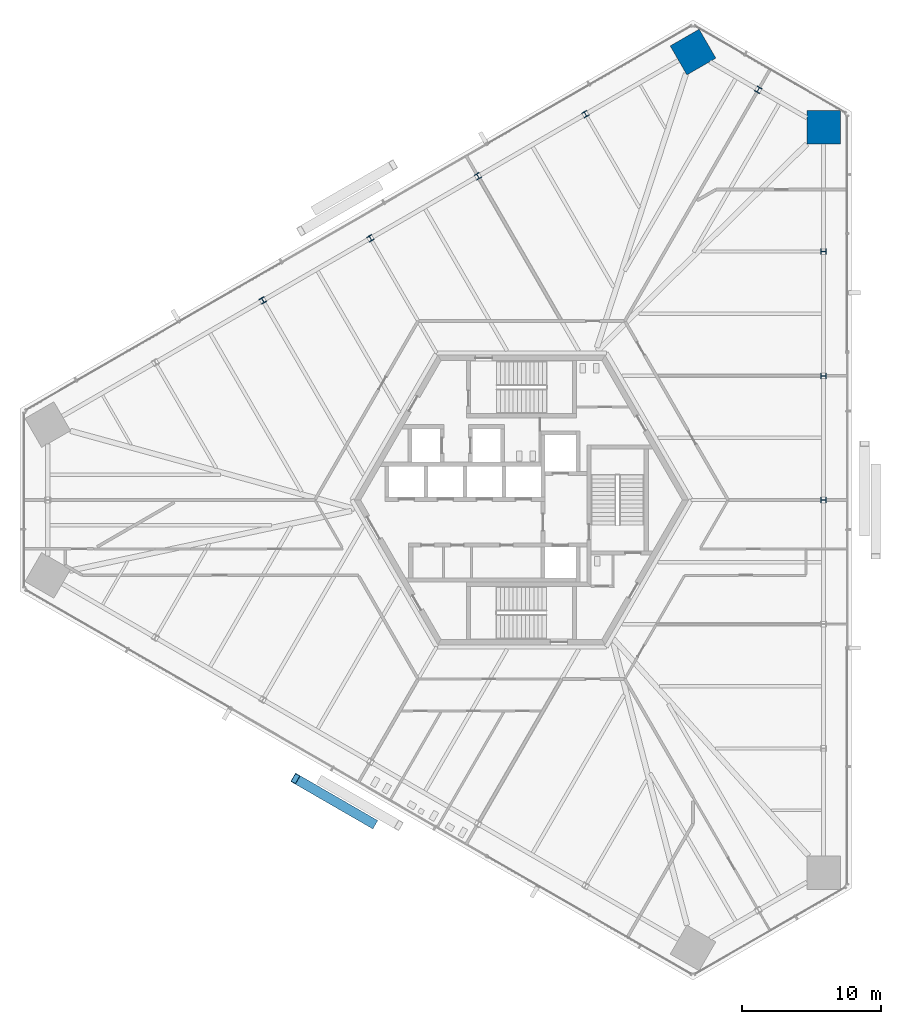
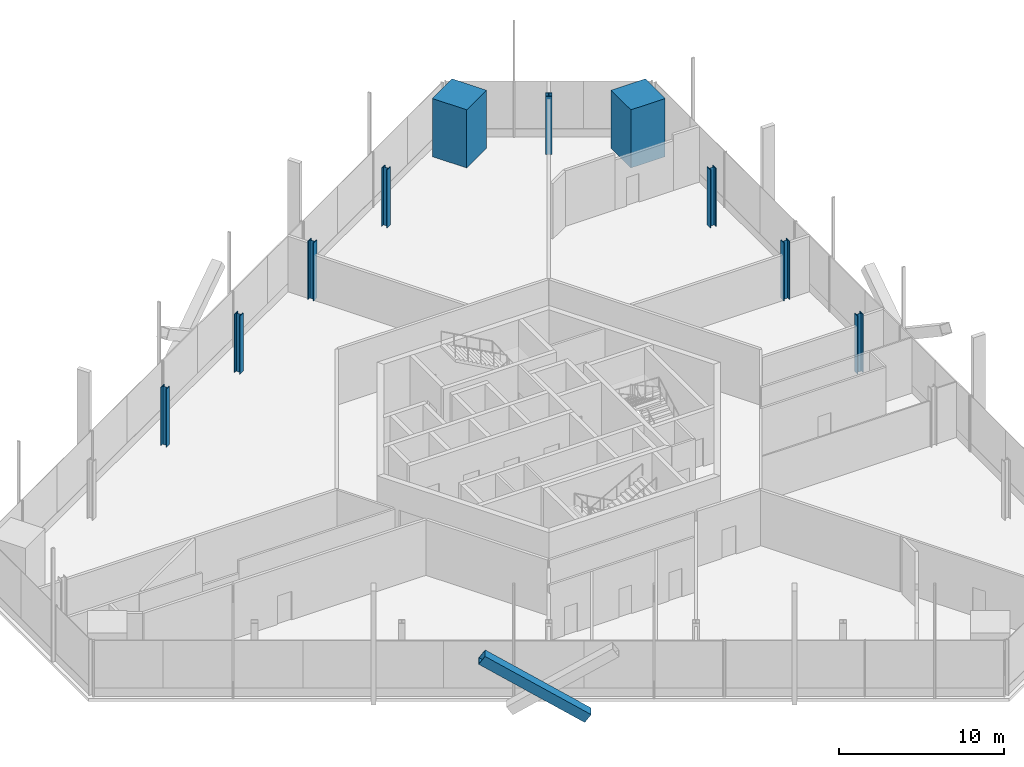
# One storey, part 2 of 18: 10 columns, 1 member.
"""IFC4 building model written with IfcOpenShell, lengths in metres."""

import ifcopenshell
import ifcopenshell.guid

model = None  # the IFC model being written
_history = None  # IfcOwnerHistory: only IFC2X3 demands one
_inside = {}  # id of a spatial element -> (the spatial element, [elements in it])
_under = {}  # id of a project, library or spatial element -> (it, [spatial elements below it])
_declared = {}  # id of a project -> (the project, [libraries it declares])
_typed = {}  # id of a type object -> (the type object, [elements of that type])
_made_of = {}  # id of a material, layer set ... -> (it, [elements and type objects made of it])


def new_model(schema):
    """Start an empty IFC model of exactly this schema.

    Asked for "IFC4X3", IfcOpenShell would pick the latest addendum, in which some entities
    have other attributes; the version numbers below select the first issue.
    IFC2X3 requires an IfcOwnerHistory on every rooted entity: one is made here for all.
    """
    global model, _history
    if schema == "IFC4X3":
        model = ifcopenshell.file(schema_version=(4, 3, 0, 0))
    else:
        model = ifcopenshell.file(schema=schema)
    _inside.clear()
    _under.clear()
    _declared.clear()
    _typed.clear()
    _made_of.clear()
    _history = None
    if model.schema == "IFC2X3":
        org = make("IfcOrganization", Name="unknown")
        user = make(
            "IfcPersonAndOrganization",
            ThePerson=make("IfcPerson", FamilyName="unknown"),
            TheOrganization=org,
        )
        app = make(
            "IfcApplication",
            ApplicationDeveloper=org,
            Version="unknown",
            ApplicationFullName="unknown",
            ApplicationIdentifier="unknown",
        )
        _history = make(
            "IfcOwnerHistory",
            OwningUser=user,
            OwningApplication=app,
            ChangeAction="ADDED",
            CreationDate=0,
        )
    return model


def make(cls, **values):
    """One entity of the class cls with the attributes given. An attribute that is None is left unset."""
    return model.create_entity(
        cls, **{name: value for name, value in values.items() if value is not None}
    )


def rooted(cls, **values):
    """An entity with a GlobalId (a new one), such as an element, a storey or a relation."""
    return make(cls, GlobalId=ifcopenshell.guid.new(), OwnerHistory=_history, **values)


def si_unit(unit_type, name, prefix=None):
    """IfcSIUnit, for example si_unit("LENGTHUNIT", "METRE", prefix="MILLI")."""
    return make("IfcSIUnit", UnitType=unit_type, Prefix=prefix, Name=name)


def assignment(units):
    """IfcUnitAssignment: the units of a project."""
    return None if units is None else make("IfcUnitAssignment", Units=units)


def point(xyz):
    """IfcCartesianPoint."""
    return None if xyz is None else make("IfcCartesianPoint", Coordinates=xyz)


def direction(xyz):
    """IfcDirection."""
    return None if xyz is None else make("IfcDirection", DirectionRatios=xyz)


def frame(location, z_axis=None, x_axis=None):
    """IfcAxis2Placement3D, a coordinate frame: its origin and axes. An axis left out is left unset."""
    return make(
        "IfcAxis2Placement3D",
        Location=point(location),
        Axis=direction(z_axis),
        RefDirection=direction(x_axis),
    )


def frame_2d(location, x_axis=None):
    """IfcAxis2Placement2D, a coordinate frame in the plane: its origin and x axis."""
    return make(
        "IfcAxis2Placement2D", Location=point(location), RefDirection=direction(x_axis)
    )


def origin():
    """The frame at (0, 0, 0) with its axes left unset."""
    return frame((0.0, 0.0, 0.0))


def origin_2d():
    """The frame at (0, 0) in the plane with its x axis left unset."""
    return frame_2d((0.0, 0.0))


def place(relative_to, where):
    """IfcLocalPlacement: puts the frame where relative to a parent placement (None: the world)."""
    return make(
        "IfcLocalPlacement", PlacementRelTo=relative_to, RelativePlacement=where
    )


def context(
    kind, dimensions, precision=None, world=None, true_north=None, identifier=None
):
    """IfcGeometricRepresentationContext, for example the 3D "Model" context."""
    return make(
        "IfcGeometricRepresentationContext",
        ContextIdentifier=identifier,
        ContextType=kind,
        CoordinateSpaceDimension=dimensions,
        Precision=precision,
        WorldCoordinateSystem=world,
        TrueNorth=true_north,
    )


def subcontext(parent, identifier, kind, view, scale=None):
    """IfcGeometricRepresentationSubContext, for example "Body" below "Model"."""
    return make(
        "IfcGeometricRepresentationSubContext",
        ContextIdentifier=identifier,
        ContextType=kind,
        ParentContext=parent,
        TargetScale=scale,
        TargetView=view,
    )


def project(units=None, contexts=None):
    """IfcProject with its units and contexts."""
    return rooted(
        "IfcProject",
        Name="project",
        RepresentationContexts=contexts,
        UnitsInContext=assignment(units),
    )


def spatial(cls, under=None, at=None, **own):
    """A site, building, storey or space (cls), placed at a placement, below another one or the project."""
    s = rooted(cls, ObjectPlacement=at, **own)
    if under is not None:
        _under.setdefault(under.id(), (under, []))[1].append(s)
    return s


def profile(cls, at=None, kind="AREA", **sizes):
    """A parametric profile (cls). Its sizes go by their IFC names, for example OverallWidth=200.0."""
    return make(cls, ProfileType=kind, Position=at, **sizes)


def rectangle(**sizes):
    """IfcRectangleProfileDef."""
    return profile("IfcRectangleProfileDef", **sizes)


def hollow_rectangle(**sizes):
    """IfcRectangleHollowProfileDef."""
    return profile("IfcRectangleHollowProfileDef", **sizes)


def i_section(**sizes):
    """IfcIShapeProfileDef."""
    return profile("IfcIShapeProfileDef", **sizes)


def extrude(swept, where, along, depth):
    """IfcExtrudedAreaSolid: the profile swept, set in the frame where, extruded along a direction by depth."""
    return make(
        "IfcExtrudedAreaSolid",
        SweptArea=swept,
        Position=where,
        ExtrudedDirection=direction(along),
        Depth=depth,
    )


def shape(context_of_items, identifier, shape_type, items):
    """IfcShapeRepresentation: the items that make up one representation, for example the "Body"."""
    return make(
        "IfcShapeRepresentation",
        ContextOfItems=context_of_items,
        RepresentationIdentifier=identifier,
        RepresentationType=shape_type,
        Items=items,
    )


def source(mapping_origin, context_of_items, identifier, shape_type, items):
    """IfcRepresentationMap: a shape defined once, which mapped items show again and again."""
    return make(
        "IfcRepresentationMap",
        MappingOrigin=mapping_origin,
        MappedRepresentation=shape(context_of_items, identifier, shape_type, items),
    )


def transform(
    local_origin,
    x_axis=None,
    y_axis=None,
    z_axis=None,
    scale=None,
    scale2=None,
    scale3=None,
    uniform=True,
):
    """IfcCartesianTransformationOperator3D, or its non-uniform kind. x_axis, y_axis, z_axis: its Axis1, 2, 3."""
    if uniform:
        return make(
            "IfcCartesianTransformationOperator3D",
            Axis1=direction(x_axis),
            Axis2=direction(y_axis),
            LocalOrigin=point(local_origin),
            Scale=scale,
            Axis3=direction(z_axis),
        )
    return make(
        "IfcCartesianTransformationOperator3DnonUniform",
        Axis1=direction(x_axis),
        Axis2=direction(y_axis),
        LocalOrigin=point(local_origin),
        Scale=scale,
        Axis3=direction(z_axis),
        Scale2=scale2,
        Scale3=scale3,
    )


def mapped(mapping_source, mapping_target):
    """IfcMappedItem: shows the shape of a source again, moved by a transform."""
    return make(
        "IfcMappedItem", MappingSource=mapping_source, MappingTarget=mapping_target
    )


def material(Name=None, Category=None):
    """IfcMaterial."""
    return make("IfcMaterial", Name=Name, Category=Category)


def material_profile(
    of_material, cross_section, Name=None, Category=None, Priority=None
):
    """IfcMaterialProfile: a cross section and its material."""
    return make(
        "IfcMaterialProfile",
        Name=Name,
        Material=of_material,
        Profile=cross_section,
        Priority=Priority,
        Category=Category,
    )


def profile_set(profiles, Name=None, composite=None):
    """IfcMaterialProfileSet."""
    return make(
        "IfcMaterialProfileSet",
        Name=Name,
        MaterialProfiles=profiles,
        CompositeProfile=composite,
    )


def made_of(thing, what):
    """Note that an element or type object is made of a material, layer set ...; save() writes the relation."""
    if what is not None:
        _made_of.setdefault(what.id(), (what, []))[1].append(thing)
    return thing


def type_object(cls, material=None, **own):
    """A type object (cls), such as IfcWallType, which elements share."""
    return made_of(rooted(cls, **own), material)


def element(
    cls,
    number,
    at=None,
    inside=None,
    cuts=None,
    type_object=None,
    material=None,
    context=None,
    identifier="Body",
    shape_type=None,
    held_by="IfcProductDefinitionShape",
    body=None,
    shapes=None,
    **own,
):
    """One element of the class cls, such as IfcWall. Its Tag is "e" and its number.

    at: its placement. inside: the storey or other place that contains it. cuts: it is an
    opening in that element (IfcRelVoidsElement). A single representation is given by context,
    identifier, shape_type and body (its items); several are given by shapes. held_by: the class
    of the entity that holds the representations. save() writes the other relations.
    """
    e = rooted(cls, Tag="e%d" % number, ObjectPlacement=at, **own)
    if body is not None:
        shapes = [shape(context, identifier, shape_type, body)]
    if shapes is not None:
        e.Representation = make(held_by, Representations=shapes)
    if inside is not None:
        _inside.setdefault(inside.id(), (inside, []))[1].append(e)
    if cuts is not None:
        rooted(
            "IfcRelVoidsElement", RelatingBuildingElement=cuts, RelatedOpeningElement=e
        )
    if type_object is not None:
        _typed.setdefault(type_object.id(), (type_object, []))[1].append(e)
    return made_of(e, material)


def aggregate(whole, parts):
    """IfcRelAggregates: a whole, such as a stair, and the parts it consists of."""
    return rooted("IfcRelAggregates", RelatingObject=whole, RelatedObjects=parts)


def save(model, path):
    """Write the relations noted so far, then the file.

    IfcRelAggregates (storeys below a building ...), IfcRelContainedInSpatialStructure (elements
    in a storey), IfcRelDefinesByType, IfcRelAssociatesMaterial and IfcRelDeclares: one each for
    every whole, place, type object, material and project.
    """
    for whole, parts in _under.values():
        aggregate(whole, parts)
    for where, things in _inside.values():
        rooted(
            "IfcRelContainedInSpatialStructure",
            RelatedElements=things,
            RelatingStructure=where,
        )
    for kind, things in _typed.values():
        rooted("IfcRelDefinesByType", RelatedObjects=things, RelatingType=kind)
    for what, things in _made_of.values():
        rooted("IfcRelAssociatesMaterial", RelatedObjects=things, RelatingMaterial=what)
    for by, libraries in _declared.values():
        rooted("IfcRelDeclares", RelatingContext=by, RelatedDefinitions=libraries)
    model.write(path)


model = new_model("IFC4")

# Units and contexts
model_context = context("Model", 3, precision=1e-05, world=origin(), true_north=direction((0.0, 1.0)))
body_context = subcontext(model_context, "Body", "Model", "MODEL_VIEW")
ifc_project = project(units=[si_unit("LENGTHUNIT", "METRE"), si_unit("AREAUNIT", "SQUARE_METRE"), si_unit("VOLUMEUNIT", "CUBIC_METRE"), si_unit("PLANEANGLEUNIT", "RADIAN"), si_unit("MASSUNIT", "GRAM", prefix="KILO")], contexts=[model_context])

# Site, building, storey
site_placement = place(None, origin())
site = spatial("IfcSite", under=ifc_project, at=site_placement, CompositionType="ELEMENT")
building_placement = place(site_placement, origin())
building = spatial("IfcBuilding", under=site, at=building_placement, Name="Triune Harvest Tower", CompositionType="ELEMENT")
storey_placement = place(building_placement, frame((0.0, 0.0, 33.199951171875)))
storey = spatial("IfcBuildingStorey", under=building, at=storey_placement, Name="L07", CompositionType="ELEMENT", Elevation=33.199951171875)

# Columns
ifc_material_1 = material(Name="Concrete 70 MPa", Category="concrete")
ifc_material_profile_1 = material_profile(ifc_material_1, rectangle(XDim=2.39990234375, YDim=2.39990234375, at=origin_2d()), Name="Composite 2400x2400")
ifc_profile_set_1 = profile_set([ifc_material_profile_1], Name="Concrete 70 MPa")
column_type_1 = type_object("IfcColumnType", Name="MC-1 Mega column Composite 2400x2400", PredefinedType="COLUMN", material=ifc_profile_set_1)
shared_shape_1 = source(origin(), body_context, "Body", "SweptSolid", [
    extrude(rectangle(XDim=2.39990234375, YDim=2.39990234375, at=origin_2d()), origin(), (0.0, 0.0, 1.0), 4.300048828125),
])
for number, where, z_axis, x_axis, name in (
    (1, (21.679443359375, 26.72998046875, 0.0), (0.0, 0.0, 1.0), (0.0, 1.0, 0.0), "col/L07/M6"),
    (2, (12.30908203125, 32.139892578125, 0.0), (0.0, 0.0, 1.0), (-0.866025403784, -0.5, 0.0), "col/L07/M8"),
):
    element("IfcColumn", number, at=place(storey_placement, frame(where, z_axis=z_axis, x_axis=x_axis)), inside=storey, type_object=column_type_1, Name=name, PredefinedType="COLUMN", context=body_context, shape_type="MappedRepresentation", body=[
        mapped(shared_shape_1, transform((0.0, 0.0, 0.0), scale=1.0)),
    ])
ifc_material_2 = material(Name="Steel ASTM A992 Gr 50", Category="steel")
ifc_material_profile_2 = material_profile(ifc_material_2, i_section(OverallWidth=0.40380859375, OverallDepth=0.406494140625, WebThickness=0.027099609375, FlangeThickness=0.043701171875, at=origin_2d()), Name="W14x233")
ifc_profile_set_2 = profile_set([ifc_material_profile_2], Name="Steel ASTM A992 Gr 50")
column_type_2 = type_object("IfcColumnType", Name="PC-1 Perimeter column W14x233", PredefinedType="COLUMN", material=ifc_profile_set_2)
shared_shape_2 = source(origin(), body_context, "Body", "SweptSolid", [
    extrude(i_section(OverallWidth=0.40380859375, OverallDepth=0.406494140625, WebThickness=0.027099609375, FlangeThickness=0.043701171875, at=origin_2d()), origin(), (0.0, 0.0, 1.0), 4.300048828125),
])
for number, where, z_axis, x_axis, name in (
    (3, (21.679443359375, 0.0, 0.0), (0.0, 0.0, 1.0), (0.0, 1.0, 0.0), "col/L07/P3"),
    (4, (21.679443359375, 8.909912109375, 0.0), (0.0, 0.0, 1.0), (0.0, 1.0, 0.0), "col/L07/P4"),
    (5, (21.679443359375, 17.820068359375, 0.0), (0.0, 0.0, 1.0), (0.0, 1.0, 0.0), "col/L07/P5"),
    (6, (16.994384765625, 29.43505859375, 0.0), (0.0, 0.0, 1.0), (-0.866026276448, 0.4999984885, 0.0), "col/L07/P7"),
    (7, (4.5927734375, 27.68505859375, 0.0), (0.0, 0.0, 1.0), (-0.866025403784, -0.5, 0.0), "col/L07/P9"),
    (8, (-3.12353515625, 23.22998046875, 0.0), (0.0, 0.0, 1.0), (-0.866025403784, -0.5, 0.0), "col/L07/P10"),
    (9, (-10.839599609375, 18.77490234375, 0.0), (0.0, 0.0, 1.0), (-0.866025403784, -0.5, 0.0), "col/L07/P11"),
    (10, (-18.555908203125, 14.320068359375, 0.0), (0.0, 0.0, 1.0), (-0.866025403784, -0.5, 0.0), "col/L07/P12"),
):
    element("IfcColumn", number, at=place(storey_placement, frame(where, z_axis=z_axis, x_axis=x_axis)), inside=storey, type_object=column_type_2, Name=name, PredefinedType="COLUMN", context=body_context, shape_type="MappedRepresentation", body=[
        mapped(shared_shape_2, transform((0.0, 0.0, 0.0), scale=1.0)),
    ])

# Member
ifc_material_3 = material(Name="Steel ASTM A572 Gr 50", Category="steel")
ifc_material_profile_3 = material_profile(ifc_material_3, hollow_rectangle(XDim=0.699951171875, YDim=0.699951171875, WallThickness=0.0400390625, at=origin_2d()), Name="Box 700x700x40")
ifc_profile_set_3 = profile_set([ifc_material_profile_3], Name="Steel ASTM A572 Gr 50")
member_type = type_object("IfcMemberType", Name="BR-1 Brace Box 700x700x40", PredefinedType="BRACE", material=ifc_profile_set_3)
shared_shape_3 = source(origin(), body_context, "Body", "SweptSolid", [
    extrude(hollow_rectangle(XDim=0.699951171875, YDim=0.699951171875, WallThickness=0.0400390625, at=origin_2d()), origin(), (0.0, 0.0, 1.0), 7.728515625),
])
member_placement = place(storey_placement, frame((-10.656494140625, -23.201416015625, 0.0), z_axis=(-0.719604017031, 0.415462336786, 0.556382157681), x_axis=(-0.499998884236, -0.86602604797, 0.0)))
element("IfcMember", 11, at=member_placement, inside=storey, type_object=member_type, Name="brace/B1-F5/d2/5", PredefinedType="BRACE", context=body_context, shape_type="MappedRepresentation", body=[
    mapped(shared_shape_3, transform((0.0, 0.0, 0.0), scale=1.0)),
])

save(model, "model.ifc")
